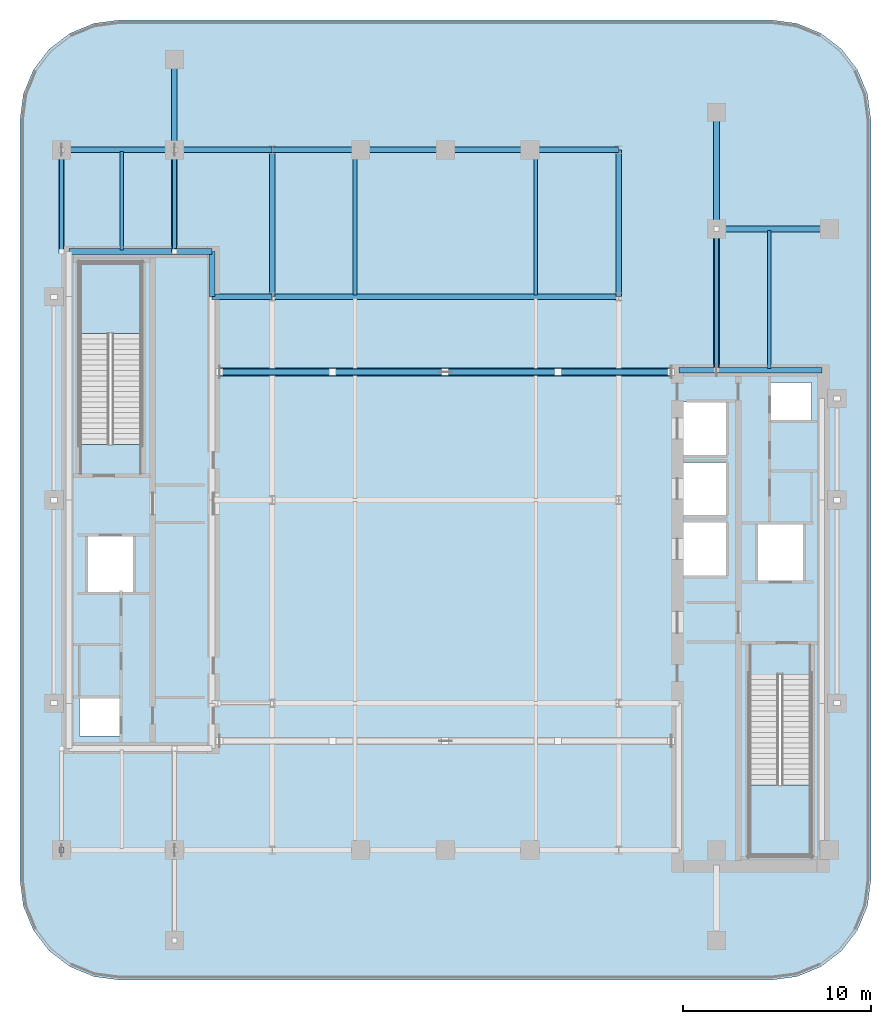
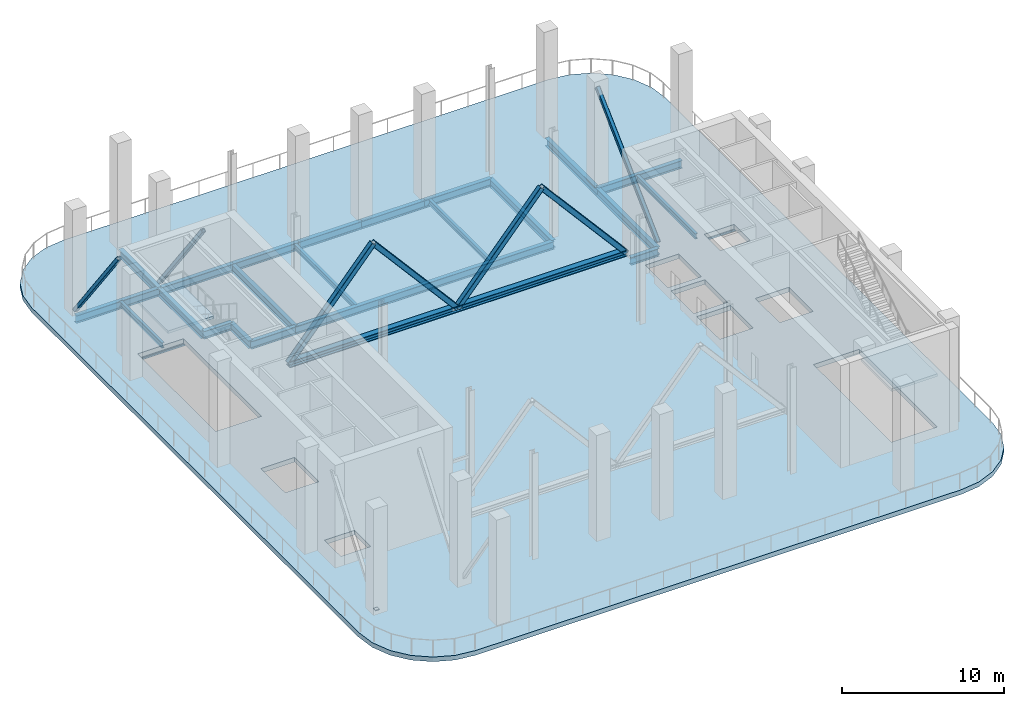
# One storey, part 2 of 12: 24 beams, 8 members, 3 slabs, 1 plate, 2 elements without a shape of their own.
"""IFC4 building model written with IfcOpenShell, lengths in metres."""

import ifcopenshell
import ifcopenshell.guid

model = None  # the IFC model being written
_history = None  # IfcOwnerHistory: only IFC2X3 demands one
_inside = {}  # id of a spatial element -> (the spatial element, [elements in it])
_under = {}  # id of a project, library or spatial element -> (it, [spatial elements below it])
_declared = {}  # id of a project -> (the project, [libraries it declares])
_typed = {}  # id of a type object -> (the type object, [elements of that type])
_made_of = {}  # id of a material, layer set ... -> (it, [elements and type objects made of it])


def new_model(schema):
    """Start an empty IFC model of exactly this schema.

    Asked for "IFC4X3", IfcOpenShell would pick the latest addendum, in which some entities
    have other attributes; the version numbers below select the first issue.
    IFC2X3 requires an IfcOwnerHistory on every rooted entity: one is made here for all.
    """
    global model, _history
    if schema == "IFC4X3":
        model = ifcopenshell.file(schema_version=(4, 3, 0, 0))
    else:
        model = ifcopenshell.file(schema=schema)
    _inside.clear()
    _under.clear()
    _declared.clear()
    _typed.clear()
    _made_of.clear()
    _history = None
    if model.schema == "IFC2X3":
        org = make("IfcOrganization", Name="unknown")
        user = make(
            "IfcPersonAndOrganization",
            ThePerson=make("IfcPerson", FamilyName="unknown"),
            TheOrganization=org,
        )
        app = make(
            "IfcApplication",
            ApplicationDeveloper=org,
            Version="unknown",
            ApplicationFullName="unknown",
            ApplicationIdentifier="unknown",
        )
        _history = make(
            "IfcOwnerHistory",
            OwningUser=user,
            OwningApplication=app,
            ChangeAction="ADDED",
            CreationDate=0,
        )
    return model


def make(cls, **values):
    """One entity of the class cls with the attributes given. An attribute that is None is left unset."""
    return model.create_entity(
        cls, **{name: value for name, value in values.items() if value is not None}
    )


def rooted(cls, **values):
    """An entity with a GlobalId (a new one), such as an element, a storey or a relation."""
    return make(cls, GlobalId=ifcopenshell.guid.new(), OwnerHistory=_history, **values)


def si_unit(unit_type, name, prefix=None):
    """IfcSIUnit, for example si_unit("LENGTHUNIT", "METRE", prefix="MILLI")."""
    return make("IfcSIUnit", UnitType=unit_type, Prefix=prefix, Name=name)


def assignment(units):
    """IfcUnitAssignment: the units of a project."""
    return None if units is None else make("IfcUnitAssignment", Units=units)


def point(xyz):
    """IfcCartesianPoint."""
    return None if xyz is None else make("IfcCartesianPoint", Coordinates=xyz)


def direction(xyz):
    """IfcDirection."""
    return None if xyz is None else make("IfcDirection", DirectionRatios=xyz)


def frame(location, z_axis=None, x_axis=None):
    """IfcAxis2Placement3D, a coordinate frame: its origin and axes. An axis left out is left unset."""
    return make(
        "IfcAxis2Placement3D",
        Location=point(location),
        Axis=direction(z_axis),
        RefDirection=direction(x_axis),
    )


def frame_2d(location, x_axis=None):
    """IfcAxis2Placement2D, a coordinate frame in the plane: its origin and x axis."""
    return make(
        "IfcAxis2Placement2D", Location=point(location), RefDirection=direction(x_axis)
    )


def origin():
    """The frame at (0, 0, 0) with its axes left unset."""
    return frame((0.0, 0.0, 0.0))


def origin_2d():
    """The frame at (0, 0) in the plane with its x axis left unset."""
    return frame_2d((0.0, 0.0))


def place(relative_to, where):
    """IfcLocalPlacement: puts the frame where relative to a parent placement (None: the world)."""
    return make(
        "IfcLocalPlacement", PlacementRelTo=relative_to, RelativePlacement=where
    )


def context(
    kind, dimensions, precision=None, world=None, true_north=None, identifier=None
):
    """IfcGeometricRepresentationContext, for example the 3D "Model" context."""
    return make(
        "IfcGeometricRepresentationContext",
        ContextIdentifier=identifier,
        ContextType=kind,
        CoordinateSpaceDimension=dimensions,
        Precision=precision,
        WorldCoordinateSystem=world,
        TrueNorth=true_north,
    )


def subcontext(parent, identifier, kind, view, scale=None):
    """IfcGeometricRepresentationSubContext, for example "Body" below "Model"."""
    return make(
        "IfcGeometricRepresentationSubContext",
        ContextIdentifier=identifier,
        ContextType=kind,
        ParentContext=parent,
        TargetScale=scale,
        TargetView=view,
    )


def project(units=None, contexts=None):
    """IfcProject with its units and contexts."""
    return rooted(
        "IfcProject",
        Name="project",
        RepresentationContexts=contexts,
        UnitsInContext=assignment(units),
    )


def spatial(cls, under=None, at=None, **own):
    """A site, building, storey or space (cls), placed at a placement, below another one or the project."""
    s = rooted(cls, ObjectPlacement=at, **own)
    if under is not None:
        _under.setdefault(under.id(), (under, []))[1].append(s)
    return s


def polyline(points):
    """IfcPolyline through the points."""
    return make("IfcPolyline", Points=[point(p) for p in points])


def profile(cls, at=None, kind="AREA", **sizes):
    """A parametric profile (cls). Its sizes go by their IFC names, for example OverallWidth=200.0."""
    return make(cls, ProfileType=kind, Position=at, **sizes)


def rectangle(**sizes):
    """IfcRectangleProfileDef."""
    return profile("IfcRectangleProfileDef", **sizes)


def hollow_rectangle(**sizes):
    """IfcRectangleHollowProfileDef."""
    return profile("IfcRectangleHollowProfileDef", **sizes)


def i_section(**sizes):
    """IfcIShapeProfileDef."""
    return profile("IfcIShapeProfileDef", **sizes)


def outline(outer, holes=None, kind="AREA"):
    """IfcArbitraryClosedProfileDef: a profile drawn as a closed curve; with holes, ...WithVoids."""
    if holes is None:
        return make("IfcArbitraryClosedProfileDef", ProfileType=kind, OuterCurve=outer)
    return make(
        "IfcArbitraryProfileDefWithVoids",
        ProfileType=kind,
        OuterCurve=outer,
        InnerCurves=holes,
    )


def extrude(swept, where, along, depth):
    """IfcExtrudedAreaSolid: the profile swept, set in the frame where, extruded along a direction by depth."""
    return make(
        "IfcExtrudedAreaSolid",
        SweptArea=swept,
        Position=where,
        ExtrudedDirection=direction(along),
        Depth=depth,
    )


def shape(context_of_items, identifier, shape_type, items):
    """IfcShapeRepresentation: the items that make up one representation, for example the "Body"."""
    return make(
        "IfcShapeRepresentation",
        ContextOfItems=context_of_items,
        RepresentationIdentifier=identifier,
        RepresentationType=shape_type,
        Items=items,
    )


def material(Name=None, Category=None):
    """IfcMaterial."""
    return make("IfcMaterial", Name=Name, Category=Category)


def layer(
    of_material, thickness, ventilated=None, Name=None, Category=None, Priority=None
):
    """IfcMaterialLayer: one layer of a wall or slab, of a material (None: an air gap)."""
    return make(
        "IfcMaterialLayer",
        Material=of_material,
        LayerThickness=thickness,
        IsVentilated=ventilated,
        Name=Name,
        Category=Category,
        Priority=Priority,
    )


def layer_set(layers, Name=None):
    """IfcMaterialLayerSet."""
    return make("IfcMaterialLayerSet", MaterialLayers=layers, LayerSetName=Name)


def material_profile(
    of_material, cross_section, Name=None, Category=None, Priority=None
):
    """IfcMaterialProfile: a cross section and its material."""
    return make(
        "IfcMaterialProfile",
        Name=Name,
        Material=of_material,
        Profile=cross_section,
        Priority=Priority,
        Category=Category,
    )


def profile_set(profiles, Name=None, composite=None):
    """IfcMaterialProfileSet."""
    return make(
        "IfcMaterialProfileSet",
        Name=Name,
        MaterialProfiles=profiles,
        CompositeProfile=composite,
    )


def made_of(thing, what):
    """Note that an element or type object is made of a material, layer set ...; save() writes the relation."""
    if what is not None:
        _made_of.setdefault(what.id(), (what, []))[1].append(thing)
    return thing


def type_object(cls, material=None, **own):
    """A type object (cls), such as IfcWallType, which elements share."""
    return made_of(rooted(cls, **own), material)


def element(
    cls,
    number,
    at=None,
    inside=None,
    cuts=None,
    type_object=None,
    material=None,
    context=None,
    identifier="Body",
    shape_type=None,
    held_by="IfcProductDefinitionShape",
    body=None,
    shapes=None,
    **own,
):
    """One element of the class cls, such as IfcWall. Its Tag is "e" and its number.

    at: its placement. inside: the storey or other place that contains it. cuts: it is an
    opening in that element (IfcRelVoidsElement). A single representation is given by context,
    identifier, shape_type and body (its items); several are given by shapes. held_by: the class
    of the entity that holds the representations. save() writes the other relations.
    """
    e = rooted(cls, Tag="e%d" % number, ObjectPlacement=at, **own)
    if body is not None:
        shapes = [shape(context, identifier, shape_type, body)]
    if shapes is not None:
        e.Representation = make(held_by, Representations=shapes)
    if inside is not None:
        _inside.setdefault(inside.id(), (inside, []))[1].append(e)
    if cuts is not None:
        rooted(
            "IfcRelVoidsElement", RelatingBuildingElement=cuts, RelatedOpeningElement=e
        )
    if type_object is not None:
        _typed.setdefault(type_object.id(), (type_object, []))[1].append(e)
    return made_of(e, material)


def aggregate(whole, parts):
    """IfcRelAggregates: a whole, such as a stair, and the parts it consists of."""
    return rooted("IfcRelAggregates", RelatingObject=whole, RelatedObjects=parts)


def save(model, path):
    """Write the relations noted so far, then the file.

    IfcRelAggregates (storeys below a building ...), IfcRelContainedInSpatialStructure (elements
    in a storey), IfcRelDefinesByType, IfcRelAssociatesMaterial and IfcRelDeclares: one each for
    every whole, place, type object, material and project.
    """
    for whole, parts in _under.values():
        aggregate(whole, parts)
    for where, things in _inside.values():
        rooted(
            "IfcRelContainedInSpatialStructure",
            RelatedElements=things,
            RelatingStructure=where,
        )
    for kind, things in _typed.values():
        rooted("IfcRelDefinesByType", RelatedObjects=things, RelatingType=kind)
    for what, things in _made_of.values():
        rooted("IfcRelAssociatesMaterial", RelatedObjects=things, RelatingMaterial=what)
    for by, libraries in _declared.values():
        rooted("IfcRelDeclares", RelatingContext=by, RelatedDefinitions=libraries)
    model.write(path)


model = new_model("IFC4")

# Units and contexts
model_context = context("Model", 3, precision=1e-05, world=origin(), true_north=direction((0.0, 1.0)))
body_context = subcontext(model_context, "Body", "Model", "MODEL_VIEW")
ifc_project = project(units=[si_unit("LENGTHUNIT", "METRE"), si_unit("AREAUNIT", "SQUARE_METRE"), si_unit("VOLUMEUNIT", "CUBIC_METRE"), si_unit("PLANEANGLEUNIT", "RADIAN"), si_unit("MASSUNIT", "GRAM", prefix="KILO")], contexts=[model_context])

# Site, building, storey
site_placement = place(None, origin())
site = spatial("IfcSite", under=ifc_project, at=site_placement, CompositionType="ELEMENT")
building_placement = place(site_placement, origin())
building = spatial("IfcBuilding", under=site, at=building_placement, Name="Khairoan Windgate Tower", CompositionType="ELEMENT")
storey_placement = place(building_placement, frame((0.0, 0.0, 214.39990234375)))
storey = spatial("IfcBuildingStorey", under=building, at=storey_placement, Name="L50", CompositionType="ELEMENT", Elevation=214.39990234375)

# Beams
ifc_material_1 = material(Name="Steel S355", Category="steel")
ifc_material_profile_1 = material_profile(ifc_material_1, i_section(OverallWidth=0.300048828125, OverallDepth=0.587890625, WebThickness=0.011962890625, FlangeThickness=0.02001953125, FilletRadius=0.02392578125, at=origin_2d()))
ifc_profile_set_1 = profile_set([ifc_material_profile_1], Name="Steel S355")
beam_type_1 = type_object("IfcBeamType", Name="Beam B-G4 H588x300x12x20", PredefinedType="BEAM", material=ifc_profile_set_1)
beam_1_placement = place(storey_placement, frame((12.39990234375, 6.89990234375, -0.643798828125), z_axis=(1.0, 0.0, 0.0), x_axis=(0.0, 1.0, 0.0)))
element("IfcBeam", 1, at=beam_1_placement, inside=storey, type_object=beam_type_1, Name="L50 E-W Primary Girder 15", PredefinedType="BEAM", context=body_context, shape_type="SweptSolid", body=[
    extrude(i_section(OverallWidth=0.300048828125, OverallDepth=0.587890625, WebThickness=0.011962890625, FlangeThickness=0.02001953125, FilletRadius=0.02392578125, at=origin_2d()), origin(), (0.0, 0.0, 1.0), 2.0),
])
beam_2_placement = place(storey_placement, frame((14.39990234375, 6.89990234375, -0.643798828125), z_axis=(1.0, 0.0, 0.0), x_axis=(0.0, 1.0, 0.0)))
element("IfcBeam", 2, at=beam_2_placement, inside=storey, type_object=beam_type_1, Name="L50 E-W Primary Girder 16", PredefinedType="BEAM", context=body_context, shape_type="SweptSolid", body=[
    extrude(i_section(OverallWidth=0.300048828125, OverallDepth=0.587890625, WebThickness=0.011962890625, FlangeThickness=0.02001953125, FilletRadius=0.02392578125, at=origin_2d()), origin(), (0.0, 0.0, 1.0), 5.60009765625),
])
beam_3_placement = place(storey_placement, frame((-12.39990234375, 10.800048828125, -0.643798828125), z_axis=(1.0, 0.0, 0.0), x_axis=(0.0, 1.0, 0.0)))
element("IfcBeam", 3, at=beam_3_placement, inside=storey, type_object=beam_type_1, Name="L50 E-W Primary Girder 17", PredefinedType="BEAM", context=body_context, shape_type="SweptSolid", body=[
    extrude(i_section(OverallWidth=0.300048828125, OverallDepth=0.587890625, WebThickness=0.011962890625, FlangeThickness=0.02001953125, FilletRadius=0.02392578125, at=origin_2d()), origin(), (0.0, 0.0, 1.0), 3.199951171875),
])
beam_4_placement = place(storey_placement, frame((-9.199951171875, 10.800048828125, -0.643798828125), z_axis=(1.0, 0.0, 0.0), x_axis=(0.0, 1.0, 0.0)))
element("IfcBeam", 4, at=beam_4_placement, inside=storey, type_object=beam_type_1, Name="L50 E-W Primary Girder 18", PredefinedType="BEAM", context=body_context, shape_type="SweptSolid", body=[
    extrude(i_section(OverallWidth=0.300048828125, OverallDepth=0.587890625, WebThickness=0.011962890625, FlangeThickness=0.02001953125, FilletRadius=0.02392578125, at=origin_2d()), origin(), (0.0, 0.0, 1.0), 18.39990234375),
])
beam_5_placement = place(storey_placement, frame((-20.0, 13.199951171875, -0.643798828125), z_axis=(1.0, 0.0, 0.0), x_axis=(0.0, 1.0, 0.0)))
element("IfcBeam", 5, at=beam_5_placement, inside=storey, type_object=beam_type_1, Name="L50 E-W Primary Girder 19", PredefinedType="BEAM", context=body_context, shape_type="SweptSolid", body=[
    extrude(i_section(OverallWidth=0.300048828125, OverallDepth=0.587890625, WebThickness=0.011962890625, FlangeThickness=0.02001953125, FilletRadius=0.02392578125, at=origin_2d()), origin(), (0.0, 0.0, 1.0), 5.60009765625),
])
beam_6_placement = place(storey_placement, frame((-14.39990234375, 13.199951171875, -0.643798828125), z_axis=(1.0, 0.0, 0.0), x_axis=(0.0, 1.0, 0.0)))
element("IfcBeam", 6, at=beam_6_placement, inside=storey, type_object=beam_type_1, Name="L50 E-W Primary Girder 20", PredefinedType="BEAM", context=body_context, shape_type="SweptSolid", body=[
    extrude(i_section(OverallWidth=0.300048828125, OverallDepth=0.587890625, WebThickness=0.011962890625, FlangeThickness=0.02001953125, FilletRadius=0.02392578125, at=origin_2d()), origin(), (0.0, 0.0, 1.0), 2.0),
])
for number, where, z_axis, x_axis, name in (
    (7, (14.39990234375, 14.39990234375, -0.643798828125), (1.0, 0.0, 0.0), (0.0, 1.0, 0.0), "L50 E-W Primary Girder 21"),
    (8, (-20.39990234375, 18.60009765625, -0.643798828125), (1.0, 0.0, 0.0), (0.0, 1.0, 0.0), "L50 E-W Primary Girder 22"),
):
    element("IfcBeam", number, at=place(storey_placement, frame(where, z_axis=z_axis, x_axis=x_axis)), inside=storey, type_object=beam_type_1, Name=name, PredefinedType="BEAM", context=body_context, shape_type="SweptSolid", body=[
        extrude(i_section(OverallWidth=0.300048828125, OverallDepth=0.587890625, WebThickness=0.011962890625, FlangeThickness=0.02001953125, FilletRadius=0.02392578125, at=origin_2d()), origin(), (0.0, 0.0, 1.0), 6.0),
    ])
beam_7_placement = place(storey_placement, frame((-14.39990234375, 18.60009765625, -0.643798828125), z_axis=(1.0, 0.0, 0.0), x_axis=(0.0, 1.0, 0.0)))
element("IfcBeam", 9, at=beam_7_placement, inside=storey, type_object=beam_type_1, Name="L50 E-W Primary Girder 23", PredefinedType="BEAM", context=body_context, shape_type="SweptSolid", body=[
    extrude(i_section(OverallWidth=0.300048828125, OverallDepth=0.587890625, WebThickness=0.011962890625, FlangeThickness=0.02001953125, FilletRadius=0.02392578125, at=origin_2d()), origin(), (0.0, 0.0, 1.0), 5.199951171875),
])
beam_8_placement = place(storey_placement, frame((-9.199951171875, 18.60009765625, -0.643798828125), z_axis=(1.0, 0.0, 0.0), x_axis=(0.0, 1.0, 0.0)))
element("IfcBeam", 10, at=beam_8_placement, inside=storey, type_object=beam_type_1, Name="L50 E-W Primary Girder 24", PredefinedType="BEAM", context=body_context, shape_type="SweptSolid", body=[
    extrude(i_section(OverallWidth=0.300048828125, OverallDepth=0.587890625, WebThickness=0.011962890625, FlangeThickness=0.02001953125, FilletRadius=0.02392578125, at=origin_2d()), origin(), (0.0, 0.0, 1.0), 4.699951171875),
])
for number, where, z_axis, x_axis, name in (
    (11, (-4.5, 18.60009765625, -0.643798828125), (1.0, 0.0, 0.0), (0.0, 1.0, 0.0), "L50 E-W Primary Girder 25"),
    (12, (0.0, 18.60009765625, -0.643798828125), (1.0, 0.0, 0.0), (0.0, 1.0, 0.0), "L50 E-W Primary Girder 26"),
):
    element("IfcBeam", number, at=place(storey_placement, frame(where, z_axis=z_axis, x_axis=x_axis)), inside=storey, type_object=beam_type_1, Name=name, PredefinedType="BEAM", context=body_context, shape_type="SweptSolid", body=[
        extrude(i_section(OverallWidth=0.300048828125, OverallDepth=0.587890625, WebThickness=0.011962890625, FlangeThickness=0.02001953125, FilletRadius=0.02392578125, at=origin_2d()), origin(), (0.0, 0.0, 1.0), 4.5),
    ])
beam_9_placement = place(storey_placement, frame((4.5, 18.60009765625, -0.643798828125), z_axis=(1.0, 0.0, 0.0), x_axis=(0.0, 1.0, 0.0)))
element("IfcBeam", 13, at=beam_9_placement, inside=storey, type_object=beam_type_1, Name="L50 E-W Primary Girder 27", PredefinedType="BEAM", context=body_context, shape_type="SweptSolid", body=[
    extrude(i_section(OverallWidth=0.300048828125, OverallDepth=0.587890625, WebThickness=0.011962890625, FlangeThickness=0.02001953125, FilletRadius=0.02392578125, at=origin_2d()), origin(), (0.0, 0.0, 1.0), 4.699951171875),
])
beam_10_placement = place(storey_placement, frame((-14.39990234375, 13.199951171875, -0.643798828125), z_axis=(0.0, 1.0, 0.0), x_axis=(-1.0, 0.0, 0.0)))
element("IfcBeam", 14, at=beam_10_placement, inside=storey, type_object=beam_type_1, Name="L50 N-S Primary Beam 36", PredefinedType="BEAM", context=body_context, shape_type="SweptSolid", body=[
    extrude(i_section(OverallWidth=0.300048828125, OverallDepth=0.587890625, WebThickness=0.011962890625, FlangeThickness=0.02001953125, FilletRadius=0.02392578125, at=origin_2d()), origin(), (0.0, 0.0, 1.0), 5.400146484375),
])
beam_11_placement = place(storey_placement, frame((-14.39990234375, 18.60009765625, -0.643798828125), z_axis=(0.0, 1.0, 0.0), x_axis=(-1.0, 0.0, 0.0)))
element("IfcBeam", 15, at=beam_11_placement, inside=storey, type_object=beam_type_1, Name="L50 N-S Primary Beam 37", PredefinedType="BEAM", context=body_context, shape_type="SweptSolid", body=[
    extrude(i_section(OverallWidth=0.300048828125, OverallDepth=0.587890625, WebThickness=0.011962890625, FlangeThickness=0.02001953125, FilletRadius=0.02392578125, at=origin_2d()), origin(), (0.0, 0.0, 1.0), 4.7998046875),
])
beam_12_placement = place(storey_placement, frame((-12.39990234375, 10.800048828125, -0.643798828125), z_axis=(0.0, 1.0, 0.0), x_axis=(-1.0, 0.0, 0.0)))
element("IfcBeam", 16, at=beam_12_placement, inside=storey, type_object=beam_type_1, Name="L50 N-S Primary Beam 41", PredefinedType="BEAM", context=body_context, shape_type="SweptSolid", body=[
    extrude(i_section(OverallWidth=0.300048828125, OverallDepth=0.587890625, WebThickness=0.011962890625, FlangeThickness=0.02001953125, FilletRadius=0.02392578125, at=origin_2d()), origin(), (0.0, 0.0, 1.0), 2.39990234375),
])
for number, where, z_axis, x_axis, name in (
    (17, (-9.199951171875, 10.800048828125, -0.643798828125), (0.0, 1.0, 0.0), (-1.0, 0.0, 0.0), "L50 N-S Primary Beam 45"),
    (18, (9.199951171875, 10.800048828125, -0.643798828125), (0.0, 1.0, 0.0), (-1.0, 0.0, 0.0), "L50 N-S Primary Beam 49"),
):
    element("IfcBeam", number, at=place(storey_placement, frame(where, z_axis=z_axis, x_axis=x_axis)), inside=storey, type_object=beam_type_1, Name=name, PredefinedType="BEAM", context=body_context, shape_type="SweptSolid", body=[
        extrude(i_section(OverallWidth=0.300048828125, OverallDepth=0.587890625, WebThickness=0.011962890625, FlangeThickness=0.02001953125, FilletRadius=0.02392578125, at=origin_2d()), origin(), (0.0, 0.0, 1.0), 7.800048828125),
    ])
beam_13_placement = place(storey_placement, frame((14.39990234375, 6.89990234375, -0.643798828125), z_axis=(0.0, 1.0, 0.0), x_axis=(-1.0, 0.0, 0.0)))
element("IfcBeam", 19, at=beam_13_placement, inside=storey, type_object=beam_type_1, Name="L50 N-S Primary Beam 52", PredefinedType="BEAM", context=body_context, shape_type="SweptSolid", body=[
    extrude(i_section(OverallWidth=0.300048828125, OverallDepth=0.587890625, WebThickness=0.011962890625, FlangeThickness=0.02001953125, FilletRadius=0.02392578125, at=origin_2d()), origin(), (0.0, 0.0, 1.0), 7.5),
])
beam_14_placement = place(storey_placement, frame((14.39990234375, 14.39990234375, -0.643798828125), z_axis=(0.0, 1.0, 0.0), x_axis=(-1.0, 0.0, 0.0)))
element("IfcBeam", 20, at=beam_14_placement, inside=storey, type_object=beam_type_1, Name="L50 N-S Primary Beam 53", PredefinedType="BEAM", context=body_context, shape_type="SweptSolid", body=[
    extrude(i_section(OverallWidth=0.300048828125, OverallDepth=0.587890625, WebThickness=0.011962890625, FlangeThickness=0.02001953125, FilletRadius=0.02392578125, at=origin_2d()), origin(), (0.0, 0.0, 1.0), 6.2001953125),
])
ifc_material_2 = material(Name="Steel S355", Category="steel")
ifc_material_profile_2 = material_profile(ifc_material_2, i_section(OverallWidth=0.199951171875, OverallDepth=0.39990234375, WebThickness=0.008056640625, FlangeThickness=0.012939453125, FilletRadius=0.01611328125, at=origin_2d()))
ifc_profile_set_2 = profile_set([ifc_material_profile_2], Name="Steel S355")
beam_type_2 = type_object("IfcBeamType", Name="Beam J-S4 H400x200x8x13", PredefinedType="JOIST", material=ifc_profile_set_2)
beam_15_placement = place(storey_placement, frame((-17.199951171875, 13.2900390625, -0.5498046875), z_axis=(0.0, 1.0, 0.0), x_axis=(-1.0, 0.0, 0.0)))
element("IfcBeam", 21, at=beam_15_placement, inside=storey, type_object=beam_type_2, Name="L50 Secondary Floor Joist 02", PredefinedType="JOIST", context=body_context, shape_type="SweptSolid", body=[
    extrude(i_section(OverallWidth=0.199951171875, OverallDepth=0.39990234375, WebThickness=0.008056640625, FlangeThickness=0.012939453125, FilletRadius=0.01611328125, at=origin_2d()), origin(), (0.0, 0.0, 1.0), 5.219970703125),
])
for number, where, z_axis, x_axis, name in (
    (22, (-4.800048828125, 10.889892578125, -0.5498046875), (0.0, 1.0, 0.0), (-1.0, 0.0, 0.0), "L50 Secondary Floor Joist 06"),
    (23, (4.800048828125, 10.889892578125, -0.5498046875), (0.0, 1.0, 0.0), (-1.0, 0.0, 0.0), "L50 Secondary Floor Joist 10"),
):
    element("IfcBeam", number, at=place(storey_placement, frame(where, z_axis=z_axis, x_axis=x_axis)), inside=storey, type_object=beam_type_2, Name=name, PredefinedType="JOIST", context=body_context, shape_type="SweptSolid", body=[
        extrude(i_section(OverallWidth=0.199951171875, OverallDepth=0.39990234375, WebThickness=0.008056640625, FlangeThickness=0.012939453125, FilletRadius=0.01611328125, at=origin_2d()), origin(), (0.0, 0.0, 1.0), 7.6201171875),
    ])
beam_16_placement = place(storey_placement, frame((17.199951171875, 6.989990234375, -0.5498046875), z_axis=(0.0, 1.0, 0.0), x_axis=(-1.0, 0.0, 0.0)))
element("IfcBeam", 24, at=beam_16_placement, inside=storey, type_object=beam_type_2, Name="L50 Secondary Floor Joist 11", PredefinedType="JOIST", context=body_context, shape_type="SweptSolid", body=[
    extrude(i_section(OverallWidth=0.199951171875, OverallDepth=0.39990234375, WebThickness=0.008056640625, FlangeThickness=0.012939453125, FilletRadius=0.01611328125, at=origin_2d()), origin(), (0.0, 0.0, 1.0), 7.320068359375),
])

# Members
ifc_material_3 = material(Name="Steel S355", Category="steel")
ifc_material_profile_3 = material_profile(ifc_material_3, hollow_rectangle(XDim=0.25, YDim=0.25, WallThickness=0.012451171875, InnerFilletRadius=0.012451171875, OuterFilletRadius=0.02490234375, at=origin_2d()))
ifc_profile_set_3 = profile_set([ifc_material_profile_3], Name="Steel S355")
member_type_1 = type_object("IfcMemberType", Name="Structural Member BR-BT2 SHS250x250x12.5", PredefinedType="BRACE", material=ifc_profile_set_3)
for number, where, z_axis, x_axis, name in (
    (25, (-20.39990234375, 13.199951171875, 7.190185546875), (0.0, 0.601604593314, -0.798794036848), (0.0, 0.798794036848, 0.601604593314), "L50 Wing Belt-Truss Brace 02"),
    (26, (-14.39990234375, 13.199951171875, 7.190185546875), (0.0, 0.601604593314, -0.798794036848), (0.0, 0.798794036848, 0.601604593314), "L50 Wing Belt-Truss Brace 04"),
):
    element("IfcMember", number, at=place(storey_placement, frame(where, z_axis=z_axis, x_axis=x_axis)), inside=storey, type_object=member_type_1, Name=name, PredefinedType="BRACE", context=body_context, shape_type="SweptSolid", body=[
        extrude(hollow_rectangle(XDim=0.25, YDim=0.25, WallThickness=0.012451171875, InnerFilletRadius=0.012451171875, OuterFilletRadius=0.02490234375, at=origin_2d()), origin(), (0.0, 0.0, 1.0), 8.976318359375),
    ])
member_1_placement = place(storey_placement, frame((14.39990234375, 6.89990234375, 0.02001953125), z_axis=(0.0, 0.722822216628, 0.691034039067), x_axis=(0.0, -0.691034039067, 0.722822216628)))
element("IfcMember", 27, at=member_1_placement, inside=storey, type_object=member_type_1, Name="L50 Wing Belt-Truss Brace 05", PredefinedType="BRACE", context=body_context, shape_type="SweptSolid", body=[
    extrude(hollow_rectangle(XDim=0.25, YDim=0.25, WallThickness=0.012451171875, InnerFilletRadius=0.012451171875, OuterFilletRadius=0.02490234375, at=origin_2d()), origin(), (0.0, 0.0, 1.0), 10.3759765625),
])
ifc_material_4 = material(Name="Steel S355", Category="steel")
ifc_material_profile_4 = material_profile(ifc_material_4, hollow_rectangle(XDim=0.35009765625, YDim=0.35009765625, WallThickness=0.01611328125, InnerFilletRadius=0.01611328125, OuterFilletRadius=0.031982421875, at=origin_2d()))
ifc_profile_set_4 = profile_set([ifc_material_profile_4], Name="Steel S355")
member_type_2 = type_object("IfcMemberType", Name="Structural Member BR-OT2 SHS350x350x16", PredefinedType="BRACE", material=ifc_profile_set_4)
for number, where, z_axis, x_axis, name in (
    (28, (-12.0, 6.800048828125, 0.22021484375), (0.652403298093, 0.0, 0.757871979055), (0.0, 1.0, 0.0), "L50 Outrigger Diagonal Brace 05"),
    (29, (-6.0, 6.800048828125, 7.190185546875), (0.652403298093, 0.0, -0.757871979055), (0.0, 1.0, 0.0), "L50 Outrigger Diagonal Brace 06"),
    (30, (0.0, 6.800048828125, 0.22021484375), (0.652403298093, 0.0, 0.757871979055), (0.0, 1.0, 0.0), "L50 Outrigger Diagonal Brace 07"),
    (31, (6.0, 6.800048828125, 7.190185546875), (0.652403298093, 0.0, -0.757871979055), (0.0, 1.0, 0.0), "L50 Outrigger Diagonal Brace 08"),
):
    element("IfcMember", number, at=place(storey_placement, frame(where, z_axis=z_axis, x_axis=x_axis)), inside=storey, type_object=member_type_2, Name=name, PredefinedType="BRACE", context=body_context, shape_type="SweptSolid", body=[
        extrude(hollow_rectangle(XDim=0.35009765625, YDim=0.35009765625, WallThickness=0.01611328125, InnerFilletRadius=0.01611328125, OuterFilletRadius=0.031982421875, at=origin_2d()), origin(), (0.0, 0.0, 1.0), 9.19677734375),
    ])
ifc_material_5 = material(Name="Steel S355", Category="steel")
ifc_material_profile_5 = material_profile(ifc_material_5, i_section(OverallWidth=0.406982421875, OverallDepth=0.427978515625, WebThickness=0.02001953125, FlangeThickness=0.034912109375, FilletRadius=0.02197265625, at=origin_2d()))
ifc_profile_set_5 = profile_set([ifc_material_profile_5], Name="Steel S355")
member_type_3 = type_object("IfcMemberType", Name="Structural Member CHB-1 H428x407x20x35", PredefinedType="CHORD", material=ifc_profile_set_5)
member_2_placement = place(storey_placement, frame((-12.02001953125, 6.800048828125, 0.22021484375), z_axis=(1.0, 0.0, 0.0), x_axis=(0.0, 1.0, 0.0)))
element("IfcMember", 32, at=member_2_placement, inside=storey, type_object=member_type_3, Name="L50 Coupled Outrigger Bottom Tie Chord", PredefinedType="CHORD", context=body_context, shape_type="SweptSolid", body=[
    extrude(i_section(OverallWidth=0.406982421875, OverallDepth=0.427978515625, WebThickness=0.02001953125, FlangeThickness=0.034912109375, FilletRadius=0.02197265625, at=origin_2d()), origin(), (0.0, 0.0, 1.0), 24.0400390625),
])

# Plate
ifc_material_6 = material(Name="Steel S355", Category="steel")
ifc_layer_1 = layer(ifc_material_6, 0.0400390625, Name="Steel S355")
ifc_layer_set_1 = layer_set([ifc_layer_1], Name="Steel S355")
plate_type = type_object("IfcPlateType", Name="Hollow Section End-Cap Plate PL-CAP40", PredefinedType="SHEET", material=ifc_layer_set_1)
plate_placement = place(storey_placement, frame((-20.39990234375, -18.591064453125, 0.011962890625), z_axis=(0.0, 0.0, 1.0), x_axis=(0.0, 1.0, 0.0)))
element("IfcPlate", 33, at=plate_placement, inside=storey, type_object=plate_type, Name="BR-BT-L50-01 steel end-cap plate 1", PredefinedType="SHEET", context=body_context, shape_type="SweptSolid", body=[
    extrude(rectangle(XDim=0.27001953125, YDim=0.27001953125, at=origin_2d()), origin(), (0.0, 0.0, 1.0), 0.0400390625),
])

# Slab
ifc_material_7 = material(Name="Concrete C50/60", Category="concrete")
ifc_layer_2 = layer(ifc_material_7, 0.35009765625, Name="Concrete C50/60")
ifc_layer_set_2 = layer_set([ifc_layer_2], Name="Concrete C50/60")
slab_type_1 = type_object("IfcSlabType", Name="Outrigger Diaphragm Slab OS1 350mm", PredefinedType="FLOOR", material=ifc_layer_set_2)
slab_1_placement = place(storey_placement, frame((0.0, 0.0, -0.349853515625)))
element("IfcSlab", 34, at=slab_1_placement, inside=storey, type_object=slab_type_1, Name="L50 Structural Floor Slab", PredefinedType="FLOOR", context=body_context, shape_type="SweptSolid", body=[
    extrude(outline(polyline([(17.300048828125, -25.5), (18.671630859375, -25.3193359375), (19.949951171875, -24.789794921875), (21.047607421875, -23.94775390625), (21.889892578125, -22.85009765625), (22.41943359375, -21.57177734375), (22.60009765625, -20.199951171875), (22.60009765625, 20.199951171875), (22.41943359375, 21.57177734375), (21.889892578125, 22.85009765625), (21.047607421875, 23.94775390625), (19.949951171875, 24.789794921875), (18.671630859375, 25.3193359375), (17.300048828125, 25.5), (-17.300048828125, 25.5), (-18.671630859375, 25.3193359375), (-19.949951171875, 24.789794921875), (-21.047607421875, 23.94775390625), (-21.889892578125, 22.85009765625), (-22.41943359375, 21.57177734375), (-22.60009765625, 20.199951171875), (-22.60009765625, -20.199951171875), (-22.41943359375, -21.57177734375), (-21.889892578125, -22.85009765625), (-21.047607421875, -23.94775390625), (-19.949951171875, -24.789794921875), (-18.671630859375, -25.3193359375), (-17.300048828125, -25.5), (17.300048828125, -25.5)]), holes=[polyline([(16.14990234375, -9.260009765625), (16.14990234375, -18.89990234375), (19.419921875, -18.89990234375), (19.419921875, -9.260009765625), (16.14990234375, -9.260009765625)]), polyline([(-16.14990234375, 2.9599609375), (-16.14990234375, 12.60009765625), (-19.419921875, 12.60009765625), (-19.419921875, 2.9599609375), (-16.14990234375, 2.9599609375)]), polyline([(12.5, 2.39990234375), (14.89990234375, 2.39990234375), (14.89990234375, 5.199951171875), (12.5, 5.199951171875), (12.5, 2.39990234375)]), polyline([(12.5, -0.800048828125), (14.89990234375, -0.800048828125), (14.89990234375, 2.0), (12.5, 2.0), (12.5, -0.800048828125)]), polyline([(12.5, -4.0), (14.89990234375, -4.0), (14.89990234375, -1.199951171875), (12.5, -1.199951171875), (12.5, -4.0)]), polyline([(16.60009765625, -4.300048828125), (19.0, -4.300048828125), (19.0, -1.300048828125), (16.60009765625, -1.300048828125), (16.60009765625, -4.300048828125)]), polyline([(-19.0, -4.89990234375), (-16.60009765625, -4.89990234375), (-16.60009765625, -1.89990234375), (-19.0, -1.89990234375), (-19.0, -4.89990234375)]), polyline([(-19.449951171875, -12.550048828125), (-17.31005859375, -12.550048828125), (-17.31005859375, -10.550048828125), (-19.449951171875, -10.550048828125), (-19.449951171875, -12.550048828125)]), polyline([(17.31005859375, 4.25), (19.449951171875, 4.25), (19.449951171875, 6.25), (17.31005859375, 6.25), (17.31005859375, 4.25)])]), origin(), (0.0, 0.0, 1.0), 0.349853515625),
])

# Stair, slab
ifc_material_8 = material(Name="Concrete C40/50", Category="concrete")
stair_type = type_object("IfcStairType", Name="Tower Core Dog-Leg Stair ST-T1 1560mm", PredefinedType="HALF_TURN_STAIR", material=ifc_material_8)
stair_1_placement = place(storey_placement, origin())
stair_1 = element("IfcStair", 35, at=stair_1_placement, inside=storey, type_object=stair_type, Name="L50 Stair ST1", PredefinedType="HALF_TURN_STAIR")
ifc_material_9 = material(Name="Concrete C40/50", Category="concrete")
ifc_layer_3 = layer(ifc_material_9, 0.199951171875, Name="Concrete C40/50")
ifc_layer_set_3 = layer_set([ifc_layer_3], Name="Concrete C40/50")
slab_type_2 = type_object("IfcSlabType", Name="Reinforced Concrete Stair Landing Slab STL-200", PredefinedType="LANDING", material=ifc_layer_set_3)
slab_2_placement = place(storey_placement, frame((0.0, 0.0, 3.800048828125)))
slab_2 = element("IfcSlab", 36, at=slab_2_placement, type_object=slab_type_2, Name="ST1 landing 1", PredefinedType="LANDING", context=body_context, shape_type="SweptSolid", body=[
    extrude(outline(polyline([(16.14990234375, -15.139892578125), (16.14990234375, -18.89990234375), (19.419921875, -18.89990234375), (19.419921875, -15.139892578125), (16.14990234375, -15.139892578125)])), origin(), (0.0, 0.0, 1.0), 0.199951171875),
])
aggregate(stair_1, [slab_2])

stair_2_placement = place(storey_placement, origin())
stair_2 = element("IfcStair", 37, at=stair_2_placement, inside=storey, type_object=stair_type, Name="L50 Stair ST2", PredefinedType="HALF_TURN_STAIR")
slab_3_placement = place(storey_placement, frame((0.0, 0.0, 3.800048828125)))
slab_3 = element("IfcSlab", 38, at=slab_3_placement, type_object=slab_type_2, Name="ST2 landing 1", PredefinedType="LANDING", context=body_context, shape_type="SweptSolid", body=[
    extrude(outline(polyline([(-16.14990234375, 8.840087890625), (-16.14990234375, 12.60009765625), (-19.419921875, 12.60009765625), (-19.419921875, 8.840087890625), (-16.14990234375, 8.840087890625)])), origin(), (0.0, 0.0, 1.0), 0.199951171875),
])
aggregate(stair_2, [slab_3])

save(model, "model.ifc")
